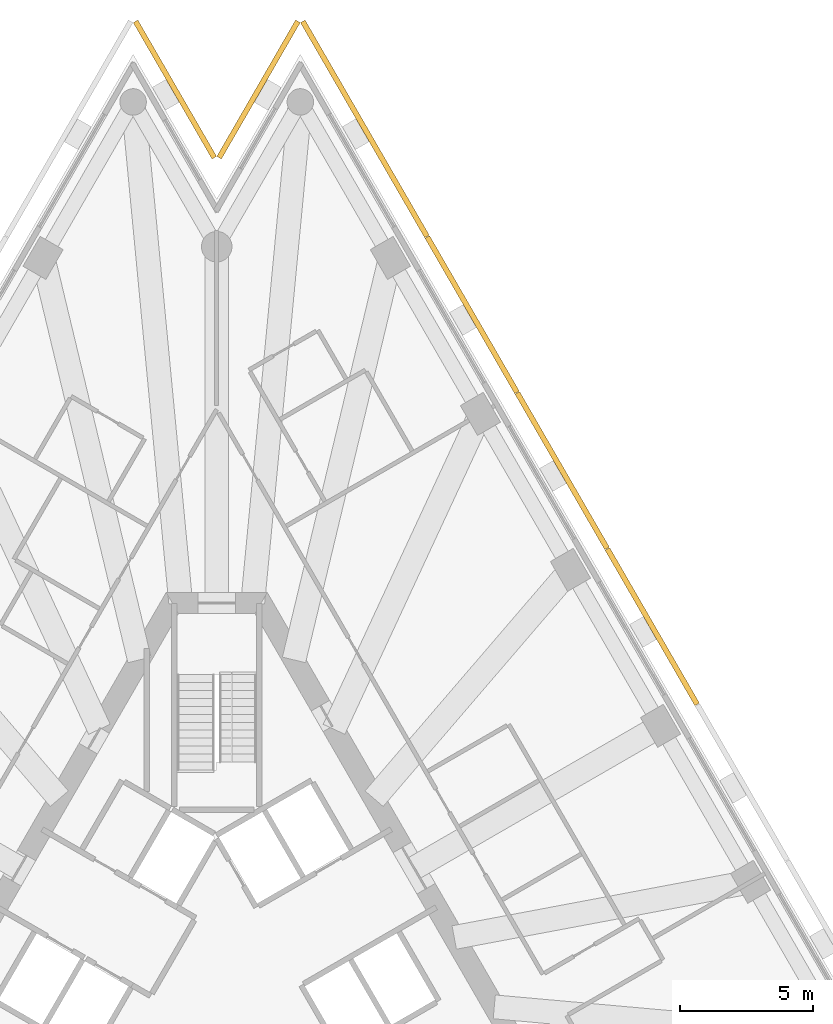
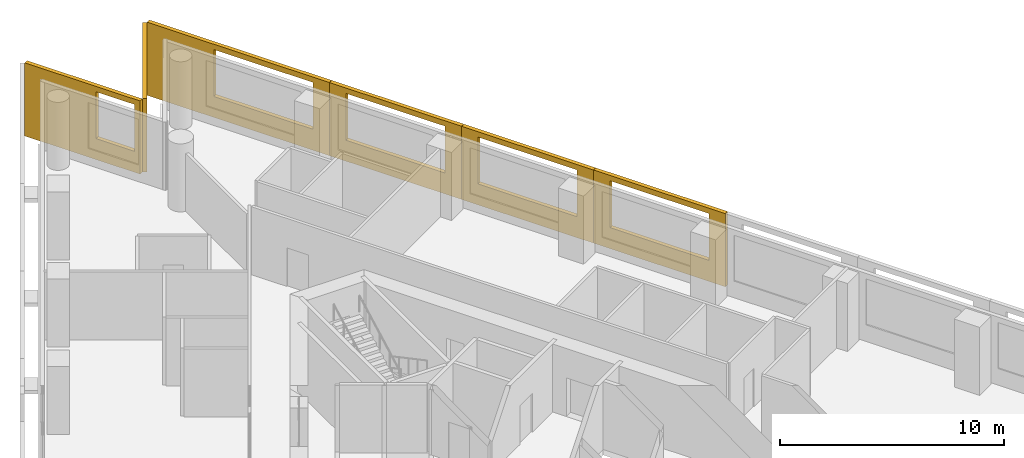
# One storey, part 9 of 9: 6 shading devices.
"""IFC4 building model written with IfcOpenShell, lengths in metres."""

from ifc_helpers import new_model, si_unit, direction, frame, origin, place, context, subcontext, project, spatial, polyline, outline, extrude, material, layer, layer_set, type_object, element, save


model = new_model("IFC4")

# Units and contexts
model_context = context("Model", 3, precision=1e-05, world=origin(), true_north=direction((0.0, 1.0)))
body_context = subcontext(model_context, "Body", "Model", "MODEL_VIEW")
ifc_project = project(units=[si_unit("LENGTHUNIT", "METRE"), si_unit("AREAUNIT", "SQUARE_METRE"), si_unit("VOLUMEUNIT", "CUBIC_METRE"), si_unit("PLANEANGLEUNIT", "RADIAN"), si_unit("MASSUNIT", "GRAM", prefix="KILO")], contexts=[model_context])

# Site, building, storey
site_placement = place(None, origin())
site = spatial("IfcSite", under=ifc_project, at=site_placement, CompositionType="ELEMENT")
building_placement = place(site_placement, origin())
building = spatial("IfcBuilding", under=site, at=building_placement, Name="Triada Interchange Tower", CompositionType="ELEMENT")
storey_placement = place(building_placement, frame((0.0, 0.0, 136.300048828125)))
storey = spatial("IfcBuildingStorey", under=building, at=storey_placement, Name="L31", CompositionType="ELEMENT", Elevation=136.300048828125)

# Shading devices
ifc_material = material(Name="Concrete C50/60 precast", Category="concrete")
ifc_layer_1 = layer(ifc_material, 0.02001953125, Name="Exposed aggregate face")
ifc_layer_2 = layer(ifc_material, 0.179931640625, Name="Precast concrete screen")
ifc_layer_set = layer_set([ifc_layer_1, ifc_layer_2], Name="Outer skin screen panel 3980")
shading_device_type = type_object("IfcShadingDeviceType", Name="Outer skin screen panel 3980", PredefinedType="SHUTTER", material=ifc_layer_set)
shading_device_1_placement = place(storey_placement, frame((18.035888671875, 10.425048828125, -0.2900390625), z_axis=(0.0, 0.0, 1.0), x_axis=(-0.50002716953, 0.866009716881, 0.0)))
element("IfcShadingDevice", 1, at=shading_device_1_placement, inside=storey, type_object=shading_device_type, Name="Outer skin screen panel L31 25", PredefinedType="SHUTTER", context=body_context, shape_type="SweptSolid", body=[
    extrude(outline(polyline([(0.0, 0.0), (6.7734375, 0.0), (6.7734375, 3.97998046875), (0.0, 3.97998046875), (0.0, 0.0)]), holes=[polyline([(0.83740234375, 1.139892578125), (0.83740234375, 3.68994140625), (5.937255859375, 3.68994140625), (5.937255859375, 1.139892578125), (0.83740234375, 1.139892578125)])]), frame((0.0, 0.0, 0.0), z_axis=(0.0, -1.0, 0.0), x_axis=(1.0, 0.0, 0.0)), (0.0, 0.0, 1.0), 0.199951171875),
])
shading_device_2_placement = place(storey_placement, frame((14.638916015625, 16.30810546875, -0.2900390625), z_axis=(0.0, 0.0, 1.0), x_axis=(-0.499964745128, 0.866045757238, 0.0)))
element("IfcShadingDevice", 2, at=shading_device_2_placement, inside=storey, type_object=shading_device_type, Name="Outer skin screen panel L31 26", PredefinedType="SHUTTER", context=body_context, shape_type="SweptSolid", body=[
    extrude(outline(polyline([(0.0, 0.0), (6.7744140625, 0.0), (6.7744140625, 3.97998046875), (0.0, 3.97998046875), (0.0, 0.0)]), holes=[polyline([(0.83740234375, 1.139892578125), (0.83740234375, 3.68994140625), (5.937255859375, 3.68994140625), (5.937255859375, 1.139892578125), (0.83740234375, 1.139892578125)])]), frame((0.0, 0.0, 0.0), z_axis=(0.0, -1.0, 0.0), x_axis=(1.0, 0.0, 0.0)), (0.0, 0.0, 1.0), 0.199951171875),
])
shading_device_3_placement = place(storey_placement, frame((11.241943359375, 22.19189453125, -0.2900390625), z_axis=(0.0, 0.0, 1.0), x_axis=(-0.499949141057, 0.866054765218, 0.0)))
element("IfcShadingDevice", 3, at=shading_device_3_placement, inside=storey, type_object=shading_device_type, Name="Outer skin screen panel L31 27", PredefinedType="SHUTTER", context=body_context, shape_type="SweptSolid", body=[
    extrude(outline(polyline([(0.0, 0.0), (6.774658203125, 0.0), (6.774658203125, 3.97998046875), (0.0, 3.97998046875), (0.0, 0.0)]), holes=[polyline([(0.83740234375, 1.139892578125), (0.83740234375, 3.68994140625), (5.9375, 3.68994140625), (5.9375, 1.139892578125), (0.83740234375, 1.139892578125)])]), frame((0.0, 0.0, 0.0), z_axis=(0.0, -1.0, 0.0), x_axis=(1.0, 0.0, 0.0)), (0.0, 0.0, 1.0), 0.199951171875),
])
shading_device_4_placement = place(storey_placement, frame((7.844970703125, 28.075927734375, -0.2900390625), z_axis=(0.0, 0.0, 1.0), x_axis=(-0.500022371132, 0.86601248742, 0.0)))
element("IfcShadingDevice", 4, at=shading_device_4_placement, inside=storey, type_object=shading_device_type, Name="Outer skin screen panel L31 28", PredefinedType="SHUTTER", context=body_context, shape_type="SweptSolid", body=[
    extrude(outline(polyline([(0.0, 0.0), (9.37158203125, 0.0), (9.37158203125, 3.97998046875), (0.0, 3.97998046875), (0.0, 0.0)]), holes=[polyline([(0.83740234375, 1.139892578125), (0.83740234375, 3.68994140625), (5.9375, 3.68994140625), (5.9375, 1.139892578125), (0.83740234375, 1.139892578125)])]), frame((0.0, 0.0, 0.0), z_axis=(0.0, -1.0, 0.0), x_axis=(1.0, 0.0, 0.0)), (0.0, 0.0, 1.0), 0.199951171875),
])
shading_device_5_placement = place(storey_placement, frame((3.14892578125, 36.19189453125, -0.2900390625), z_axis=(0.0, 0.0, 1.0), x_axis=(-0.50014817463, -0.865939838219, 0.0)))
element("IfcShadingDevice", 5, at=shading_device_5_placement, inside=storey, type_object=shading_device_type, Name="Outer skin screen panel L31 29", PredefinedType="SHUTTER", context=body_context, shape_type="SweptSolid", body=[
    extrude(outline(polyline([(0.0, 0.0), (5.940185546875, 0.0), (5.940185546875, 3.97998046875), (0.0, 3.97998046875), (0.0, 0.0)]), holes=[polyline([(3.175537109375, 1.139892578125), (3.175537109375, 3.68994140625), (5.640869140625, 3.68994140625), (5.640869140625, 1.139892578125), (3.175537109375, 1.139892578125)])]), frame((0.0, 0.0, 0.0), z_axis=(0.0, -1.0, 0.0), x_axis=(1.0, 0.0, 0.0)), (0.0, 0.0, 1.0), 0.199951171875),
])
shading_device_6_placement = place(storey_placement, frame((-0.177978515625, 31.048095703125, -0.2900390625), z_axis=(0.0, 0.0, 1.0), x_axis=(-0.50014817463, 0.865939838219, 0.0)))
element("IfcShadingDevice", 6, at=shading_device_6_placement, inside=storey, type_object=shading_device_type, Name="Outer skin screen panel L31 30", PredefinedType="SHUTTER", context=body_context, shape_type="SweptSolid", body=[
    extrude(outline(polyline([(0.0, 0.0), (5.940185546875, 0.0), (5.940185546875, 3.97998046875), (0.0, 3.97998046875), (0.0, 0.0)]), holes=[polyline([(0.300048828125, 1.139892578125), (0.300048828125, 3.68994140625), (2.258056640625, 3.68994140625), (2.258056640625, 1.139892578125), (0.300048828125, 1.139892578125)])]), frame((0.0, 0.0, 0.0), z_axis=(0.0, -1.0, 0.0), x_axis=(1.0, 0.0, 0.0)), (0.0, 0.0, 1.0), 0.199951171875),
])

save(model, "model.ifc")
